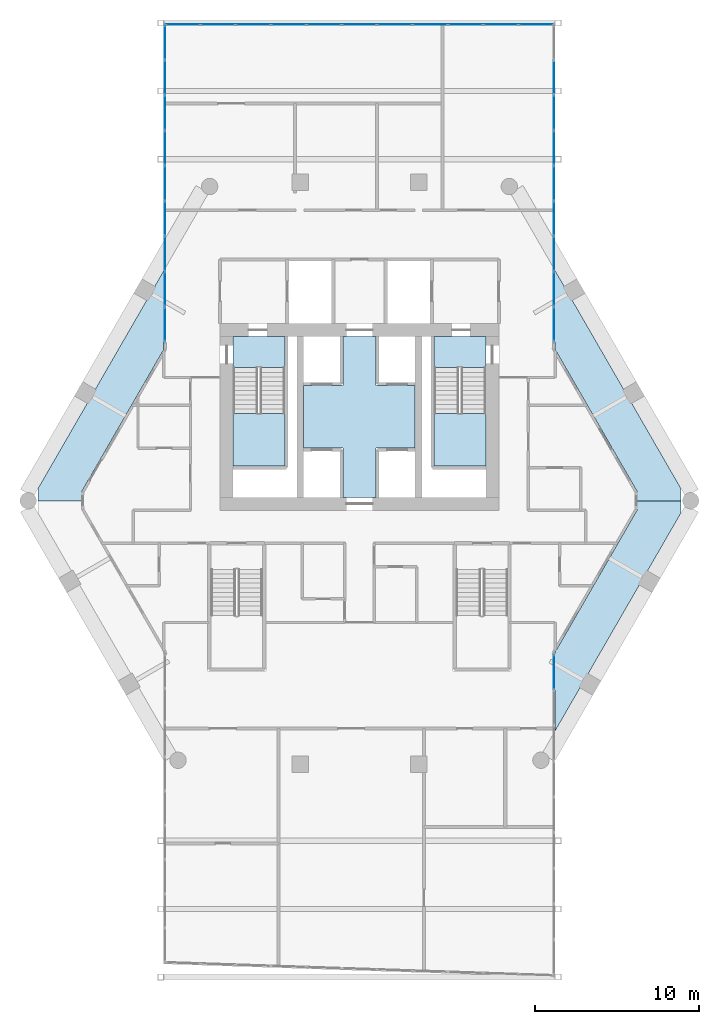
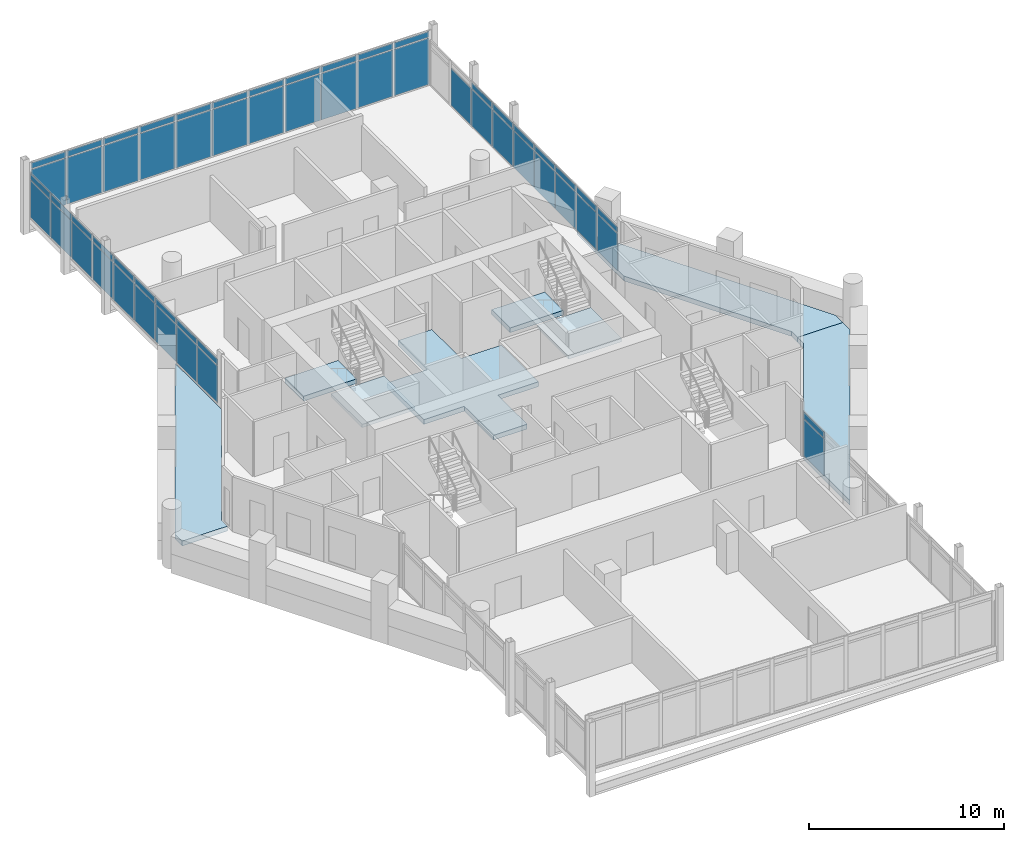
# One storey, part 23 of 29: 57 plates, 8 slabs, 6 elements without a shape of their own.
"""IFC4 building model written with IfcOpenShell, lengths in metres."""

from ifc_helpers import new_model, si_unit, direction, frame, origin, origin_2d, place, context, subcontext, project, spatial, polyline, rectangle, outline, extrude, material, layer, layer_set, type_object, element, aggregate, save


model = new_model("IFC4")

# Units and contexts
model_context = context("Model", 3, precision=1e-05, world=origin(), true_north=direction((0.0, 1.0)))
body_context = subcontext(model_context, "Body", "Model", "MODEL_VIEW")
ifc_project = project(units=[si_unit("LENGTHUNIT", "METRE"), si_unit("AREAUNIT", "SQUARE_METRE"), si_unit("VOLUMEUNIT", "CUBIC_METRE"), si_unit("PLANEANGLEUNIT", "RADIAN"), si_unit("MASSUNIT", "GRAM", prefix="KILO")], contexts=[model_context])

# Site, building, storey
site_placement = place(None, origin())
site = spatial("IfcSite", under=ifc_project, at=site_placement, CompositionType="ELEMENT")
building_placement = place(site_placement, origin())
building = spatial("IfcBuilding", under=site, at=building_placement, Name="Ostrander Bayou Hotel Tower", CompositionType="ELEMENT")
storey_placement = place(building_placement, frame((0.0, 0.0, 205.75)))
storey = spatial("IfcBuildingStorey", under=building, at=storey_placement, Name="L51", CompositionType="ELEMENT", Elevation=205.75)

# Curtain wall, plates
ifc_material_1 = material(Name="Aluminium and clear glass", Category="aluminium")
curtain_wall_type = type_object("IfcCurtainWallType", Name="CW-BAR glazed wall", PredefinedType="NOTDEFINED", material=ifc_material_1)
curtain_wall_1_placement = place(storey_placement, origin())
curtain_wall_1 = element("IfcCurtainWall", 1, at=curtain_wall_1_placement, inside=storey, type_object=curtain_wall_type, Name="CW-BAR L51:SB4S:W", PredefinedType="NOTDEFINED")
ifc_material_2 = material(Name="Clear laminated glass", Category="glass")
ifc_layer_1 = layer(ifc_material_2, 0.028076171875)
ifc_layer_set_1 = layer_set([ifc_layer_1], Name="CW-BR glazing panel 28 mm")
plate_type = type_object("IfcPlateType", Name="CW-BR glazing panel 28 mm", PredefinedType="CURTAIN_PANEL", material=ifc_layer_set_1)
plate_1_placement = place(storey_placement, frame((11.857177734375, -11.565673828125, 0.06005859375), z_axis=(0.0, 0.0, 1.0), x_axis=(0.0, -1.0, 0.0)))
plate_1 = element("IfcPlate", 2, at=plate_1_placement, type_object=plate_type, Name="CW-BAR panel 1.1", PredefinedType="CURTAIN_PANEL", context=body_context, shape_type="SweptSolid", body=[
    extrude(rectangle(XDim=2.086181640625, YDim=0.028076171875, at=origin_2d()), origin(), (0.0, 0.0, 1.0), 2.31005859375),
])
plate_2_placement = place(storey_placement, frame((11.857177734375, -11.565673828125, 2.43017578125), z_axis=(0.0, 0.0, 1.0), x_axis=(0.0, -1.0, 0.0)))
plate_2 = element("IfcPlate", 3, at=plate_2_placement, type_object=plate_type, Name="CW-BAR panel 1.2", PredefinedType="CURTAIN_PANEL", context=body_context, shape_type="SweptSolid", body=[
    extrude(rectangle(XDim=2.086181640625, YDim=0.028076171875, at=origin_2d()), origin(), (0.0, 0.0, 1.0), 0.360107421875),
])
aggregate(curtain_wall_1, [plate_1, plate_2])

curtain_wall_2_placement = place(storey_placement, origin())
curtain_wall_2 = element("IfcCurtainWall", 4, at=curtain_wall_2_placement, inside=storey, type_object=curtain_wall_type, Name="CW-BAR L51:SB4N:E", PredefinedType="NOTDEFINED")
plate_3_placement = place(storey_placement, frame((-11.857177734375, 9.654541015625, 0.06005859375), z_axis=(0.0, 0.0, 1.0), x_axis=(0.0, 1.0, 0.0)))
plate_3 = element("IfcPlate", 5, at=plate_3_placement, type_object=plate_type, Name="CW-BAR panel 1.1", PredefinedType="CURTAIN_PANEL", context=body_context, shape_type="SweptSolid", body=[
    extrude(rectangle(XDim=2.060302734375, YDim=0.028076171875, at=origin_2d()), origin(), (0.0, 0.0, 1.0), 2.31005859375),
])
plate_4_placement = place(storey_placement, frame((-11.857177734375, 9.654541015625, 2.43017578125), z_axis=(0.0, 0.0, 1.0), x_axis=(0.0, 1.0, 0.0)))
plate_4 = element("IfcPlate", 6, at=plate_4_placement, type_object=plate_type, Name="CW-BAR panel 1.2", PredefinedType="CURTAIN_PANEL", context=body_context, shape_type="SweptSolid", body=[
    extrude(rectangle(XDim=2.060302734375, YDim=0.028076171875, at=origin_2d()), origin(), (0.0, 0.0, 1.0), 0.360107421875),
])
plate_5_placement = place(storey_placement, frame((-11.857177734375, 11.789794921875, 0.06005859375), z_axis=(0.0, 0.0, 1.0), x_axis=(0.0, 1.0, 0.0)))
plate_5 = element("IfcPlate", 7, at=plate_5_placement, type_object=plate_type, Name="CW-BAR panel 2.1", PredefinedType="CURTAIN_PANEL", context=body_context, shape_type="SweptSolid", body=[
    extrude(rectangle(XDim=2.090087890625, YDim=0.028076171875, at=origin_2d()), origin(), (0.0, 0.0, 1.0), 2.31005859375),
])
plate_6_placement = place(storey_placement, frame((-11.857177734375, 11.789794921875, 2.43017578125), z_axis=(0.0, 0.0, 1.0), x_axis=(0.0, 1.0, 0.0)))
plate_6 = element("IfcPlate", 8, at=plate_6_placement, type_object=plate_type, Name="CW-BAR panel 2.2", PredefinedType="CURTAIN_PANEL", context=body_context, shape_type="SweptSolid", body=[
    extrude(rectangle(XDim=2.090087890625, YDim=0.028076171875, at=origin_2d()), origin(), (0.0, 0.0, 1.0), 0.360107421875),
])
plate_7_placement = place(storey_placement, frame((-11.857177734375, 13.93994140625, 0.06005859375), z_axis=(0.0, 0.0, 1.0), x_axis=(0.0, 1.0, 0.0)))
plate_7 = element("IfcPlate", 9, at=plate_7_placement, type_object=plate_type, Name="CW-BAR panel 3.1", PredefinedType="CURTAIN_PANEL", context=body_context, shape_type="SweptSolid", body=[
    extrude(rectangle(XDim=2.090087890625, YDim=0.028076171875, at=origin_2d()), origin(), (0.0, 0.0, 1.0), 2.31005859375),
])
plate_8_placement = place(storey_placement, frame((-11.857177734375, 13.93994140625, 2.43017578125), z_axis=(0.0, 0.0, 1.0), x_axis=(0.0, 1.0, 0.0)))
plate_8 = element("IfcPlate", 10, at=plate_8_placement, type_object=plate_type, Name="CW-BAR panel 3.2", PredefinedType="CURTAIN_PANEL", context=body_context, shape_type="SweptSolid", body=[
    extrude(rectangle(XDim=2.090087890625, YDim=0.028076171875, at=origin_2d()), origin(), (0.0, 0.0, 1.0), 0.360107421875),
])
plate_9_placement = place(storey_placement, frame((-11.857177734375, 16.090087890625, 0.06005859375), z_axis=(0.0, 0.0, 1.0), x_axis=(0.0, 1.0, 0.0)))
plate_9 = element("IfcPlate", 11, at=plate_9_placement, type_object=plate_type, Name="CW-BAR panel 4.1", PredefinedType="CURTAIN_PANEL", context=body_context, shape_type="SweptSolid", body=[
    extrude(rectangle(XDim=2.090087890625, YDim=0.028076171875, at=origin_2d()), origin(), (0.0, 0.0, 1.0), 2.31005859375),
])
plate_10_placement = place(storey_placement, frame((-11.857177734375, 16.090087890625, 2.43017578125), z_axis=(0.0, 0.0, 1.0), x_axis=(0.0, 1.0, 0.0)))
plate_10 = element("IfcPlate", 12, at=plate_10_placement, type_object=plate_type, Name="CW-BAR panel 4.2", PredefinedType="CURTAIN_PANEL", context=body_context, shape_type="SweptSolid", body=[
    extrude(rectangle(XDim=2.090087890625, YDim=0.028076171875, at=origin_2d()), origin(), (0.0, 0.0, 1.0), 0.360107421875),
])
plate_11_placement = place(storey_placement, frame((-11.857177734375, 18.240234375, 0.06005859375), z_axis=(0.0, 0.0, 1.0), x_axis=(0.0, 1.0, 0.0)))
plate_11 = element("IfcPlate", 13, at=plate_11_placement, type_object=plate_type, Name="CW-BAR panel 5.1", PredefinedType="CURTAIN_PANEL", context=body_context, shape_type="SweptSolid", body=[
    extrude(rectangle(XDim=2.090087890625, YDim=0.028076171875, at=origin_2d()), origin(), (0.0, 0.0, 1.0), 2.31005859375),
])
plate_12_placement = place(storey_placement, frame((-11.857177734375, 18.240234375, 2.43017578125), z_axis=(0.0, 0.0, 1.0), x_axis=(0.0, 1.0, 0.0)))
plate_12 = element("IfcPlate", 14, at=plate_12_placement, type_object=plate_type, Name="CW-BAR panel 5.2", PredefinedType="CURTAIN_PANEL", context=body_context, shape_type="SweptSolid", body=[
    extrude(rectangle(XDim=2.090087890625, YDim=0.028076171875, at=origin_2d()), origin(), (0.0, 0.0, 1.0), 0.360107421875),
])
plate_13_placement = place(storey_placement, frame((-11.857177734375, 20.390380859375, 0.06005859375), z_axis=(0.0, 0.0, 1.0), x_axis=(0.0, 1.0, 0.0)))
plate_13 = element("IfcPlate", 15, at=plate_13_placement, type_object=plate_type, Name="CW-BAR panel 6.1", PredefinedType="CURTAIN_PANEL", context=body_context, shape_type="SweptSolid", body=[
    extrude(rectangle(XDim=2.090087890625, YDim=0.028076171875, at=origin_2d()), origin(), (0.0, 0.0, 1.0), 2.31005859375),
])
plate_14_placement = place(storey_placement, frame((-11.857177734375, 20.390380859375, 2.43017578125), z_axis=(0.0, 0.0, 1.0), x_axis=(0.0, 1.0, 0.0)))
plate_14 = element("IfcPlate", 16, at=plate_14_placement, type_object=plate_type, Name="CW-BAR panel 6.2", PredefinedType="CURTAIN_PANEL", context=body_context, shape_type="SweptSolid", body=[
    extrude(rectangle(XDim=2.090087890625, YDim=0.028076171875, at=origin_2d()), origin(), (0.0, 0.0, 1.0), 0.360107421875),
])
plate_15_placement = place(storey_placement, frame((-11.857177734375, 22.54052734375, 0.06005859375), z_axis=(0.0, 0.0, 1.0), x_axis=(0.0, 1.0, 0.0)))
plate_15 = element("IfcPlate", 17, at=plate_15_placement, type_object=plate_type, Name="CW-BAR panel 7.1", PredefinedType="CURTAIN_PANEL", context=body_context, shape_type="SweptSolid", body=[
    extrude(rectangle(XDim=2.090087890625, YDim=0.028076171875, at=origin_2d()), origin(), (0.0, 0.0, 1.0), 2.31005859375),
])
plate_16_placement = place(storey_placement, frame((-11.857177734375, 22.54052734375, 2.43017578125), z_axis=(0.0, 0.0, 1.0), x_axis=(0.0, 1.0, 0.0)))
plate_16 = element("IfcPlate", 18, at=plate_16_placement, type_object=plate_type, Name="CW-BAR panel 7.2", PredefinedType="CURTAIN_PANEL", context=body_context, shape_type="SweptSolid", body=[
    extrude(rectangle(XDim=2.090087890625, YDim=0.028076171875, at=origin_2d()), origin(), (0.0, 0.0, 1.0), 0.360107421875),
])
plate_17_placement = place(storey_placement, frame((-11.857177734375, 24.69091796875, 0.06005859375), z_axis=(0.0, 0.0, 1.0), x_axis=(0.0, 1.0, 0.0)))
plate_17 = element("IfcPlate", 19, at=plate_17_placement, type_object=plate_type, Name="CW-BAR panel 8.1", PredefinedType="CURTAIN_PANEL", context=body_context, shape_type="SweptSolid", body=[
    extrude(rectangle(XDim=2.090087890625, YDim=0.028076171875, at=origin_2d()), origin(), (0.0, 0.0, 1.0), 2.31005859375),
])
plate_18_placement = place(storey_placement, frame((-11.857177734375, 24.69091796875, 2.43017578125), z_axis=(0.0, 0.0, 1.0), x_axis=(0.0, 1.0, 0.0)))
plate_18 = element("IfcPlate", 20, at=plate_18_placement, type_object=plate_type, Name="CW-BAR panel 8.2", PredefinedType="CURTAIN_PANEL", context=body_context, shape_type="SweptSolid", body=[
    extrude(rectangle(XDim=2.090087890625, YDim=0.028076171875, at=origin_2d()), origin(), (0.0, 0.0, 1.0), 0.360107421875),
])
plate_19_placement = place(storey_placement, frame((-11.857177734375, 26.825927734375, 0.06005859375), z_axis=(0.0, 0.0, 1.0), x_axis=(0.0, 1.0, 0.0)))
plate_19 = element("IfcPlate", 21, at=plate_19_placement, type_object=plate_type, Name="CW-BAR panel 9.1", PredefinedType="CURTAIN_PANEL", context=body_context, shape_type="SweptSolid", body=[
    extrude(rectangle(XDim=2.060302734375, YDim=0.028076171875, at=origin_2d()), origin(), (0.0, 0.0, 1.0), 2.31005859375),
])
plate_20_placement = place(storey_placement, frame((-11.857177734375, 26.825927734375, 2.43017578125), z_axis=(0.0, 0.0, 1.0), x_axis=(0.0, 1.0, 0.0)))
plate_20 = element("IfcPlate", 22, at=plate_20_placement, type_object=plate_type, Name="CW-BAR panel 9.2", PredefinedType="CURTAIN_PANEL", context=body_context, shape_type="SweptSolid", body=[
    extrude(rectangle(XDim=2.060302734375, YDim=0.028076171875, at=origin_2d()), origin(), (0.0, 0.0, 1.0), 0.360107421875),
])
aggregate(curtain_wall_2, [plate_3, plate_4, plate_5, plate_6, plate_7, plate_8, plate_9, plate_10, plate_11, plate_12, plate_13, plate_14, plate_15, plate_16, plate_17, plate_18, plate_19, plate_20])

curtain_wall_3_placement = place(storey_placement, origin())
curtain_wall_3 = element("IfcCurtainWall", 23, at=curtain_wall_3_placement, inside=storey, type_object=curtain_wall_type, Name="CW-BAR L51:SB4N:T", PredefinedType="NOTDEFINED")
plate_21_placement = place(storey_placement, frame((-10.76416015625, 27.916015625, 0.06005859375), z_axis=(0.0, 0.0, 1.0), x_axis=(1.0, 0.0, 0.0)))
plate_21 = element("IfcPlate", 24, at=plate_21_placement, type_object=plate_type, Name="CW-BAR panel 1.1", PredefinedType="CURTAIN_PANEL", context=body_context, shape_type="SweptSolid", body=[
    extrude(rectangle(XDim=2.06591796875, YDim=0.028076171875, at=origin_2d()), origin(), (0.0, 0.0, 1.0), 2.909912109375),
])
plate_22_placement = place(storey_placement, frame((-10.76416015625, 27.916015625, 3.02978515625), z_axis=(0.0, 0.0, 1.0), x_axis=(1.0, 0.0, 0.0)))
plate_22 = element("IfcPlate", 25, at=plate_22_placement, type_object=plate_type, Name="CW-BAR panel 1.2", PredefinedType="CURTAIN_PANEL", context=body_context, shape_type="SweptSolid", body=[
    extrude(rectangle(XDim=2.06591796875, YDim=0.028076171875, at=origin_2d()), origin(), (0.0, 0.0, 1.0), 0.360107421875),
])
plate_23_placement = place(storey_placement, frame((-8.62353515625, 27.916015625, 0.06005859375), z_axis=(0.0, 0.0, 1.0), x_axis=(1.0, 0.0, 0.0)))
plate_23 = element("IfcPlate", 26, at=plate_23_placement, type_object=plate_type, Name="CW-BAR panel 2.1", PredefinedType="CURTAIN_PANEL", context=body_context, shape_type="SweptSolid", body=[
    extrude(rectangle(XDim=2.095947265625, YDim=0.028076171875, at=origin_2d()), origin(), (0.0, 0.0, 1.0), 2.909912109375),
])
plate_24_placement = place(storey_placement, frame((-8.62353515625, 27.916015625, 3.02978515625), z_axis=(0.0, 0.0, 1.0), x_axis=(1.0, 0.0, 0.0)))
plate_24 = element("IfcPlate", 27, at=plate_24_placement, type_object=plate_type, Name="CW-BAR panel 2.2", PredefinedType="CURTAIN_PANEL", context=body_context, shape_type="SweptSolid", body=[
    extrude(rectangle(XDim=2.095947265625, YDim=0.028076171875, at=origin_2d()), origin(), (0.0, 0.0, 1.0), 0.360107421875),
])
plate_25_placement = place(storey_placement, frame((-6.467529296875, 27.916015625, 0.06005859375), z_axis=(0.0, 0.0, 1.0), x_axis=(1.0, 0.0, 0.0)))
plate_25 = element("IfcPlate", 28, at=plate_25_placement, type_object=plate_type, Name="CW-BAR panel 3.1", PredefinedType="CURTAIN_PANEL", context=body_context, shape_type="SweptSolid", body=[
    extrude(rectangle(XDim=2.095947265625, YDim=0.028076171875, at=origin_2d()), origin(), (0.0, 0.0, 1.0), 2.909912109375),
])
plate_26_placement = place(storey_placement, frame((-6.467529296875, 27.916015625, 3.02978515625), z_axis=(0.0, 0.0, 1.0), x_axis=(1.0, 0.0, 0.0)))
plate_26 = element("IfcPlate", 29, at=plate_26_placement, type_object=plate_type, Name="CW-BAR panel 3.2", PredefinedType="CURTAIN_PANEL", context=body_context, shape_type="SweptSolid", body=[
    extrude(rectangle(XDim=2.095947265625, YDim=0.028076171875, at=origin_2d()), origin(), (0.0, 0.0, 1.0), 0.360107421875),
])
plate_27_placement = place(storey_placement, frame((-4.311767578125, 27.916015625, 0.06005859375), z_axis=(0.0, 0.0, 1.0), x_axis=(1.0, 0.0, 0.0)))
plate_27 = element("IfcPlate", 30, at=plate_27_placement, type_object=plate_type, Name="CW-BAR panel 4.1", PredefinedType="CURTAIN_PANEL", context=body_context, shape_type="SweptSolid", body=[
    extrude(rectangle(XDim=2.095947265625, YDim=0.028076171875, at=origin_2d()), origin(), (0.0, 0.0, 1.0), 2.909912109375),
])
plate_28_placement = place(storey_placement, frame((-4.311767578125, 27.916015625, 3.02978515625), z_axis=(0.0, 0.0, 1.0), x_axis=(1.0, 0.0, 0.0)))
plate_28 = element("IfcPlate", 31, at=plate_28_placement, type_object=plate_type, Name="CW-BAR panel 4.2", PredefinedType="CURTAIN_PANEL", context=body_context, shape_type="SweptSolid", body=[
    extrude(rectangle(XDim=2.095947265625, YDim=0.028076171875, at=origin_2d()), origin(), (0.0, 0.0, 1.0), 0.360107421875),
])
plate_29_placement = place(storey_placement, frame((-2.15576171875, 27.916015625, 0.06005859375), z_axis=(0.0, 0.0, 1.0), x_axis=(1.0, 0.0, 0.0)))
plate_29 = element("IfcPlate", 32, at=plate_29_placement, type_object=plate_type, Name="CW-BAR panel 5.1", PredefinedType="CURTAIN_PANEL", context=body_context, shape_type="SweptSolid", body=[
    extrude(rectangle(XDim=2.095947265625, YDim=0.028076171875, at=origin_2d()), origin(), (0.0, 0.0, 1.0), 2.909912109375),
])
plate_30_placement = place(storey_placement, frame((-2.15576171875, 27.916015625, 3.02978515625), z_axis=(0.0, 0.0, 1.0), x_axis=(1.0, 0.0, 0.0)))
plate_30 = element("IfcPlate", 33, at=plate_30_placement, type_object=plate_type, Name="CW-BAR panel 5.2", PredefinedType="CURTAIN_PANEL", context=body_context, shape_type="SweptSolid", body=[
    extrude(rectangle(XDim=2.095947265625, YDim=0.028076171875, at=origin_2d()), origin(), (0.0, 0.0, 1.0), 0.360107421875),
])
plate_31_placement = place(storey_placement, frame((0.0, 27.916015625, 0.06005859375), z_axis=(0.0, 0.0, 1.0), x_axis=(1.0, 0.0, 0.0)))
plate_31 = element("IfcPlate", 34, at=plate_31_placement, type_object=plate_type, Name="CW-BAR panel 6.1", PredefinedType="CURTAIN_PANEL", context=body_context, shape_type="SweptSolid", body=[
    extrude(rectangle(XDim=2.095947265625, YDim=0.028076171875, at=origin_2d()), origin(), (0.0, 0.0, 1.0), 2.909912109375),
])
plate_32_placement = place(storey_placement, frame((0.0, 27.916015625, 3.02978515625), z_axis=(0.0, 0.0, 1.0), x_axis=(1.0, 0.0, 0.0)))
plate_32 = element("IfcPlate", 35, at=plate_32_placement, type_object=plate_type, Name="CW-BAR panel 6.2", PredefinedType="CURTAIN_PANEL", context=body_context, shape_type="SweptSolid", body=[
    extrude(rectangle(XDim=2.095947265625, YDim=0.028076171875, at=origin_2d()), origin(), (0.0, 0.0, 1.0), 0.360107421875),
])
plate_33_placement = place(storey_placement, frame((2.15576171875, 27.916015625, 0.06005859375), z_axis=(0.0, 0.0, 1.0), x_axis=(1.0, 0.0, 0.0)))
plate_33 = element("IfcPlate", 36, at=plate_33_placement, type_object=plate_type, Name="CW-BAR panel 7.1", PredefinedType="CURTAIN_PANEL", context=body_context, shape_type="SweptSolid", body=[
    extrude(rectangle(XDim=2.095947265625, YDim=0.028076171875, at=origin_2d()), origin(), (0.0, 0.0, 1.0), 2.909912109375),
])
plate_34_placement = place(storey_placement, frame((2.15576171875, 27.916015625, 3.02978515625), z_axis=(0.0, 0.0, 1.0), x_axis=(1.0, 0.0, 0.0)))
plate_34 = element("IfcPlate", 37, at=plate_34_placement, type_object=plate_type, Name="CW-BAR panel 7.2", PredefinedType="CURTAIN_PANEL", context=body_context, shape_type="SweptSolid", body=[
    extrude(rectangle(XDim=2.095947265625, YDim=0.028076171875, at=origin_2d()), origin(), (0.0, 0.0, 1.0), 0.360107421875),
])
plate_35_placement = place(storey_placement, frame((4.311767578125, 27.916015625, 0.06005859375), z_axis=(0.0, 0.0, 1.0), x_axis=(1.0, 0.0, 0.0)))
plate_35 = element("IfcPlate", 38, at=plate_35_placement, type_object=plate_type, Name="CW-BAR panel 8.1", PredefinedType="CURTAIN_PANEL", context=body_context, shape_type="SweptSolid", body=[
    extrude(rectangle(XDim=2.095947265625, YDim=0.028076171875, at=origin_2d()), origin(), (0.0, 0.0, 1.0), 2.909912109375),
])
plate_36_placement = place(storey_placement, frame((4.311767578125, 27.916015625, 3.02978515625), z_axis=(0.0, 0.0, 1.0), x_axis=(1.0, 0.0, 0.0)))
plate_36 = element("IfcPlate", 39, at=plate_36_placement, type_object=plate_type, Name="CW-BAR panel 8.2", PredefinedType="CURTAIN_PANEL", context=body_context, shape_type="SweptSolid", body=[
    extrude(rectangle(XDim=2.095947265625, YDim=0.028076171875, at=origin_2d()), origin(), (0.0, 0.0, 1.0), 0.360107421875),
])
plate_37_placement = place(storey_placement, frame((6.467529296875, 27.916015625, 0.06005859375), z_axis=(0.0, 0.0, 1.0), x_axis=(1.0, 0.0, 0.0)))
plate_37 = element("IfcPlate", 40, at=plate_37_placement, type_object=plate_type, Name="CW-BAR panel 9.1", PredefinedType="CURTAIN_PANEL", context=body_context, shape_type="SweptSolid", body=[
    extrude(rectangle(XDim=2.095947265625, YDim=0.028076171875, at=origin_2d()), origin(), (0.0, 0.0, 1.0), 2.909912109375),
])
plate_38_placement = place(storey_placement, frame((6.467529296875, 27.916015625, 3.02978515625), z_axis=(0.0, 0.0, 1.0), x_axis=(1.0, 0.0, 0.0)))
plate_38 = element("IfcPlate", 41, at=plate_38_placement, type_object=plate_type, Name="CW-BAR panel 9.2", PredefinedType="CURTAIN_PANEL", context=body_context, shape_type="SweptSolid", body=[
    extrude(rectangle(XDim=2.095947265625, YDim=0.028076171875, at=origin_2d()), origin(), (0.0, 0.0, 1.0), 0.360107421875),
])
plate_39_placement = place(storey_placement, frame((8.62353515625, 27.916015625, 0.06005859375), z_axis=(0.0, 0.0, 1.0), x_axis=(1.0, 0.0, 0.0)))
plate_39 = element("IfcPlate", 42, at=plate_39_placement, type_object=plate_type, Name="CW-BAR panel 10.1", PredefinedType="CURTAIN_PANEL", context=body_context, shape_type="SweptSolid", body=[
    extrude(rectangle(XDim=2.095947265625, YDim=0.028076171875, at=origin_2d()), origin(), (0.0, 0.0, 1.0), 2.909912109375),
])
plate_40_placement = place(storey_placement, frame((8.62353515625, 27.916015625, 3.02978515625), z_axis=(0.0, 0.0, 1.0), x_axis=(1.0, 0.0, 0.0)))
plate_40 = element("IfcPlate", 43, at=plate_40_placement, type_object=plate_type, Name="CW-BAR panel 10.2", PredefinedType="CURTAIN_PANEL", context=body_context, shape_type="SweptSolid", body=[
    extrude(rectangle(XDim=2.095947265625, YDim=0.028076171875, at=origin_2d()), origin(), (0.0, 0.0, 1.0), 0.360107421875),
])
plate_41_placement = place(storey_placement, frame((10.76416015625, 27.916015625, 0.06005859375), z_axis=(0.0, 0.0, 1.0), x_axis=(1.0, 0.0, 0.0)))
plate_41 = element("IfcPlate", 44, at=plate_41_placement, type_object=plate_type, Name="CW-BAR panel 11.1", PredefinedType="CURTAIN_PANEL", context=body_context, shape_type="SweptSolid", body=[
    extrude(rectangle(XDim=2.06591796875, YDim=0.028076171875, at=origin_2d()), origin(), (0.0, 0.0, 1.0), 2.909912109375),
])
plate_42_placement = place(storey_placement, frame((10.76416015625, 27.916015625, 3.02978515625), z_axis=(0.0, 0.0, 1.0), x_axis=(1.0, 0.0, 0.0)))
plate_42 = element("IfcPlate", 45, at=plate_42_placement, type_object=plate_type, Name="CW-BAR panel 11.2", PredefinedType="CURTAIN_PANEL", context=body_context, shape_type="SweptSolid", body=[
    extrude(rectangle(XDim=2.06591796875, YDim=0.028076171875, at=origin_2d()), origin(), (0.0, 0.0, 1.0), 0.360107421875),
])
aggregate(curtain_wall_3, [plate_21, plate_22, plate_23, plate_24, plate_25, plate_26, plate_27, plate_28, plate_29, plate_30, plate_31, plate_32, plate_33, plate_34, plate_35, plate_36, plate_37, plate_38, plate_39, plate_40, plate_41, plate_42])

curtain_wall_4_placement = place(storey_placement, origin())
curtain_wall_4 = element("IfcCurtainWall", 46, at=curtain_wall_4_placement, inside=storey, type_object=curtain_wall_type, Name="CW-BAR L51:SB4N:W", PredefinedType="NOTDEFINED")
plate_43_placement = place(storey_placement, frame((11.857177734375, 9.654541015625, 0.06005859375), z_axis=(0.0, 0.0, 1.0), x_axis=(0.0, 1.0, 0.0)))
plate_43 = element("IfcPlate", 47, at=plate_43_placement, type_object=plate_type, Name="CW-BAR panel 1.1", PredefinedType="CURTAIN_PANEL", context=body_context, shape_type="SweptSolid", body=[
    extrude(rectangle(XDim=2.060302734375, YDim=0.028076171875, at=origin_2d()), origin(), (0.0, 0.0, 1.0), 2.31005859375),
])
plate_44_placement = place(storey_placement, frame((11.857177734375, 9.654541015625, 2.43017578125), z_axis=(0.0, 0.0, 1.0), x_axis=(0.0, 1.0, 0.0)))
plate_44 = element("IfcPlate", 48, at=plate_44_placement, type_object=plate_type, Name="CW-BAR panel 1.2", PredefinedType="CURTAIN_PANEL", context=body_context, shape_type="SweptSolid", body=[
    extrude(rectangle(XDim=2.060302734375, YDim=0.028076171875, at=origin_2d()), origin(), (0.0, 0.0, 1.0), 0.360107421875),
])
plate_45_placement = place(storey_placement, frame((11.857177734375, 11.789794921875, 0.06005859375), z_axis=(0.0, 0.0, 1.0), x_axis=(0.0, 1.0, 0.0)))
plate_45 = element("IfcPlate", 49, at=plate_45_placement, type_object=plate_type, Name="CW-BAR panel 2.1", PredefinedType="CURTAIN_PANEL", context=body_context, shape_type="SweptSolid", body=[
    extrude(rectangle(XDim=2.090087890625, YDim=0.028076171875, at=origin_2d()), origin(), (0.0, 0.0, 1.0), 2.31005859375),
])
plate_46_placement = place(storey_placement, frame((11.857177734375, 11.789794921875, 2.43017578125), z_axis=(0.0, 0.0, 1.0), x_axis=(0.0, 1.0, 0.0)))
plate_46 = element("IfcPlate", 50, at=plate_46_placement, type_object=plate_type, Name="CW-BAR panel 2.2", PredefinedType="CURTAIN_PANEL", context=body_context, shape_type="SweptSolid", body=[
    extrude(rectangle(XDim=2.090087890625, YDim=0.028076171875, at=origin_2d()), origin(), (0.0, 0.0, 1.0), 0.360107421875),
])
plate_47_placement = place(storey_placement, frame((11.857177734375, 13.93994140625, 0.06005859375), z_axis=(0.0, 0.0, 1.0), x_axis=(0.0, 1.0, 0.0)))
plate_47 = element("IfcPlate", 51, at=plate_47_placement, type_object=plate_type, Name="CW-BAR panel 3.1", PredefinedType="CURTAIN_PANEL", context=body_context, shape_type="SweptSolid", body=[
    extrude(rectangle(XDim=2.090087890625, YDim=0.028076171875, at=origin_2d()), origin(), (0.0, 0.0, 1.0), 2.31005859375),
])
plate_48_placement = place(storey_placement, frame((11.857177734375, 13.93994140625, 2.43017578125), z_axis=(0.0, 0.0, 1.0), x_axis=(0.0, 1.0, 0.0)))
plate_48 = element("IfcPlate", 52, at=plate_48_placement, type_object=plate_type, Name="CW-BAR panel 3.2", PredefinedType="CURTAIN_PANEL", context=body_context, shape_type="SweptSolid", body=[
    extrude(rectangle(XDim=2.090087890625, YDim=0.028076171875, at=origin_2d()), origin(), (0.0, 0.0, 1.0), 0.360107421875),
])
plate_49_placement = place(storey_placement, frame((11.857177734375, 16.090087890625, 0.06005859375), z_axis=(0.0, 0.0, 1.0), x_axis=(0.0, 1.0, 0.0)))
plate_49 = element("IfcPlate", 53, at=plate_49_placement, type_object=plate_type, Name="CW-BAR panel 4.1", PredefinedType="CURTAIN_PANEL", context=body_context, shape_type="SweptSolid", body=[
    extrude(rectangle(XDim=2.090087890625, YDim=0.028076171875, at=origin_2d()), origin(), (0.0, 0.0, 1.0), 2.31005859375),
])
plate_50_placement = place(storey_placement, frame((11.857177734375, 16.090087890625, 2.43017578125), z_axis=(0.0, 0.0, 1.0), x_axis=(0.0, 1.0, 0.0)))
plate_50 = element("IfcPlate", 54, at=plate_50_placement, type_object=plate_type, Name="CW-BAR panel 4.2", PredefinedType="CURTAIN_PANEL", context=body_context, shape_type="SweptSolid", body=[
    extrude(rectangle(XDim=2.090087890625, YDim=0.028076171875, at=origin_2d()), origin(), (0.0, 0.0, 1.0), 0.360107421875),
])
plate_51_placement = place(storey_placement, frame((11.857177734375, 18.240234375, 0.06005859375), z_axis=(0.0, 0.0, 1.0), x_axis=(0.0, 1.0, 0.0)))
plate_51 = element("IfcPlate", 55, at=plate_51_placement, type_object=plate_type, Name="CW-BAR panel 5.1", PredefinedType="CURTAIN_PANEL", context=body_context, shape_type="SweptSolid", body=[
    extrude(rectangle(XDim=2.090087890625, YDim=0.028076171875, at=origin_2d()), origin(), (0.0, 0.0, 1.0), 2.31005859375),
])
plate_52_placement = place(storey_placement, frame((11.857177734375, 18.240234375, 2.43017578125), z_axis=(0.0, 0.0, 1.0), x_axis=(0.0, 1.0, 0.0)))
plate_52 = element("IfcPlate", 56, at=plate_52_placement, type_object=plate_type, Name="CW-BAR panel 5.2", PredefinedType="CURTAIN_PANEL", context=body_context, shape_type="SweptSolid", body=[
    extrude(rectangle(XDim=2.090087890625, YDim=0.028076171875, at=origin_2d()), origin(), (0.0, 0.0, 1.0), 0.360107421875),
])
plate_53_placement = place(storey_placement, frame((11.857177734375, 20.390380859375, 0.06005859375), z_axis=(0.0, 0.0, 1.0), x_axis=(0.0, 1.0, 0.0)))
plate_53 = element("IfcPlate", 57, at=plate_53_placement, type_object=plate_type, Name="CW-BAR panel 6.1", PredefinedType="CURTAIN_PANEL", context=body_context, shape_type="SweptSolid", body=[
    extrude(rectangle(XDim=2.090087890625, YDim=0.028076171875, at=origin_2d()), origin(), (0.0, 0.0, 1.0), 2.31005859375),
])
plate_54_placement = place(storey_placement, frame((11.857177734375, 20.390380859375, 2.43017578125), z_axis=(0.0, 0.0, 1.0), x_axis=(0.0, 1.0, 0.0)))
plate_54 = element("IfcPlate", 58, at=plate_54_placement, type_object=plate_type, Name="CW-BAR panel 6.2", PredefinedType="CURTAIN_PANEL", context=body_context, shape_type="SweptSolid", body=[
    extrude(rectangle(XDim=2.090087890625, YDim=0.028076171875, at=origin_2d()), origin(), (0.0, 0.0, 1.0), 0.360107421875),
])
plate_55_placement = place(storey_placement, frame((11.857177734375, 22.54052734375, 0.06005859375), z_axis=(0.0, 0.0, 1.0), x_axis=(0.0, 1.0, 0.0)))
plate_55 = element("IfcPlate", 59, at=plate_55_placement, type_object=plate_type, Name="CW-BAR panel 7.1", PredefinedType="CURTAIN_PANEL", context=body_context, shape_type="SweptSolid", body=[
    extrude(rectangle(XDim=2.090087890625, YDim=0.028076171875, at=origin_2d()), origin(), (0.0, 0.0, 1.0), 2.31005859375),
])
plate_56_placement = place(storey_placement, frame((11.857177734375, 22.54052734375, 2.43017578125), z_axis=(0.0, 0.0, 1.0), x_axis=(0.0, 1.0, 0.0)))
plate_56 = element("IfcPlate", 60, at=plate_56_placement, type_object=plate_type, Name="CW-BAR panel 7.2", PredefinedType="CURTAIN_PANEL", context=body_context, shape_type="SweptSolid", body=[
    extrude(rectangle(XDim=2.090087890625, YDim=0.028076171875, at=origin_2d()), origin(), (0.0, 0.0, 1.0), 0.360107421875),
])
plate_57_placement = place(storey_placement, frame((11.857177734375, 24.69091796875, 0.06005859375), z_axis=(0.0, 0.0, 1.0), x_axis=(0.0, 1.0, 0.0)))
plate_57 = element("IfcPlate", 61, at=plate_57_placement, type_object=plate_type, Name="CW-BAR panel 8.1", PredefinedType="CURTAIN_PANEL", context=body_context, shape_type="SweptSolid", body=[
    extrude(rectangle(XDim=2.090087890625, YDim=0.028076171875, at=origin_2d()), origin(), (0.0, 0.0, 1.0), 2.31005859375),
])
aggregate(curtain_wall_4, [plate_43, plate_44, plate_45, plate_46, plate_47, plate_48, plate_49, plate_50, plate_51, plate_52, plate_53, plate_54, plate_55, plate_56, plate_57])

# Slabs
ifc_material_3 = material(Name="Concrete f'c 40 MPa", Category="concrete")
ifc_layer_2 = layer(ifc_material_3, 0.300048828125)
ifc_layer_set_2 = layer_set([ifc_layer_2], Name="SL1 floor slab 300 mm f'c 40 MPa")
slab_type_1 = type_object("IfcSlabType", Name="SL1 floor slab 300 mm f'c 40 MPa", PredefinedType="FLOOR", material=ifc_layer_set_2)
slab_1_placement = place(storey_placement, frame((0.0, 0.0, -0.300048828125)))
element("IfcSlab", 62, at=slab_1_placement, inside=storey, type_object=slab_type_1, Name="cslab:L51:001", PredefinedType="FLOOR", context=body_context, shape_type="SweptSolid", body=[
    extrude(outline(polyline([(-3.39990234375, 5.89990234375), (-1.0, 5.89990234375), (-1.0, 8.89990234375), (1.0, 8.89990234375), (1.0, 5.89990234375), (3.39990234375, 5.89990234375), (3.39990234375, 2.10009765625), (1.0, 2.10009765625), (1.0, -0.89990234375), (-1.0, -0.89990234375), (-1.0, 2.10009765625), (-3.39990234375, 2.10009765625), (-3.39990234375, 5.89990234375)])), origin(), (0.0, 0.0, 1.0), 0.300048828125),
])
slab_2_placement = place(storey_placement, frame((0.0, 0.0, -0.300048828125)))
element("IfcSlab", 63, at=slab_2_placement, inside=storey, type_object=slab_type_1, Name="cslab:L51:002", PredefinedType="FLOOR", context=body_context, shape_type="SweptSolid", body=[
    extrude(outline(polyline([(-4.550048828125, 7.0), (-4.550048828125, 8.89990234375), (-7.699951171875, 8.89990234375), (-7.699951171875, 7.0), (-4.550048828125, 7.0)])), origin(), (0.0, 0.0, 1.0), 0.300048828125),
])
slab_3_placement = place(storey_placement, frame((0.0, 0.0, -0.300048828125)))
element("IfcSlab", 64, at=slab_3_placement, inside=storey, type_object=slab_type_1, Name="cslab:L51:003", PredefinedType="FLOOR", context=body_context, shape_type="SweptSolid", body=[
    extrude(outline(polyline([(7.699951171875, 7.0), (7.699951171875, 8.89990234375), (4.550048828125, 8.89990234375), (4.550048828125, 7.0), (7.699951171875, 7.0)])), origin(), (0.0, 0.0, 1.0), 0.300048828125),
])
ifc_material_4 = material(Name="Concrete f'c 40 MPa", Category="concrete")
ifc_layer_3 = layer(ifc_material_4, 0.300048828125)
ifc_layer_set_3 = layer_set([ifc_layer_3], Name="SL4 loggia slab 300 mm f'c 40 MPa")
slab_type_2 = type_object("IfcSlabType", Name="SL4 loggia slab 300 mm f'c 40 MPa", PredefinedType="FLOOR", material=ifc_layer_set_3)
slab_4_placement = place(storey_placement, frame((0.0, 0.0, -0.300048828125)))
element("IfcSlab", 65, at=slab_4_placement, inside=storey, type_object=slab_type_2, Name="SL4 LOGGIA L51 NW 1", PredefinedType="FLOOR", context=body_context, shape_type="SweptSolid", body=[
    extrude(outline(polyline([(-11.93212890625, 12.9072265625), (-11.93212890625, 8.107177734375), (-16.908935546875, -0.5126953125), (-16.908935546875, -1.11279296875), (-19.593505859375, -1.11279296875), (-19.593505859375, -0.36279296875), (-16.582275390625, 4.853271484375), (-16.1123046875, 5.667236328125), (-12.964111328125, 11.119873046875), (-12.494140625, 11.93408203125), (-11.93212890625, 12.9072265625)])), origin(), (0.0, 0.0, 1.0), 0.300048828125),
])
slab_5_placement = place(storey_placement, frame((0.0, 0.0, -0.300048828125)))
element("IfcSlab", 66, at=slab_5_placement, inside=storey, type_object=slab_type_2, Name="SL4 LOGGIA L51 SE 1", PredefinedType="FLOOR", context=body_context, shape_type="SweptSolid", body=[
    extrude(outline(polyline([(13.457763671875, -12.490478515625), (11.93212890625, -15.1328125), (11.93212890625, -10.332763671875), (16.908935546875, -1.712890625), (16.908935546875, -1.11279296875), (19.593505859375, -1.11279296875), (19.593505859375, -1.86279296875), (17.5458984375, -5.40966796875), (17.075927734375, -6.2236328125), (13.927734375, -11.67626953125), (13.457763671875, -12.490478515625)])), origin(), (0.0, 0.0, 1.0), 0.300048828125),
])
slab_6_placement = place(storey_placement, frame((0.0, 0.0, -0.300048828125)))
element("IfcSlab", 67, at=slab_6_placement, inside=storey, type_object=slab_type_2, Name="SL4 LOGGIA L51 NE 1", PredefinedType="FLOOR", context=body_context, shape_type="SweptSolid", body=[
    extrude(outline(polyline([(11.93212890625, 12.9072265625), (12.494140625, 11.93408203125), (12.964111328125, 11.119873046875), (14.66796875, 8.168701171875), (16.1123046875, 5.667236328125), (16.582275390625, 4.853271484375), (19.593505859375, -0.36279296875), (19.593505859375, -1.11279296875), (16.908935546875, -1.11279296875), (16.908935546875, -0.5126953125), (11.93212890625, 8.107177734375), (11.93212890625, 12.9072265625)])), origin(), (0.0, 0.0, 1.0), 0.300048828125),
])

# Stair, slab
ifc_material_5 = material(Name="Concrete f'c 45 MPa", Category="concrete")
stair_type = type_object("IfcStairType", Name="ST1 exit stair 1500 mm f'c 45 MPa", PredefinedType="HALF_TURN_STAIR", material=ifc_material_5)
stair_1_placement = place(storey_placement, origin())
stair_1 = element("IfcStair", 68, at=stair_1_placement, inside=storey, type_object=stair_type, Name="L51 exit stair A", PredefinedType="HALF_TURN_STAIR")
ifc_material_6 = material(Name="Concrete f'c 45 MPa", Category="concrete")
ifc_layer_4 = layer(ifc_material_6, 0.199951171875)
ifc_layer_set_4 = layer_set([ifc_layer_4], Name="SL8 stair landing 200 mm f'c 45 MPa")
slab_type_3 = type_object("IfcSlabType", Name="SL8 stair landing 200 mm f'c 45 MPa", PredefinedType="LANDING", material=ifc_layer_set_4)
slab_7_placement = place(storey_placement, frame((0.0, 0.0, 1.675048828125)))
slab_7 = element("IfcSlab", 69, at=slab_7_placement, type_object=slab_type_3, Name="STA landing 1", PredefinedType="LANDING", context=body_context, shape_type="SweptSolid", body=[
    extrude(outline(polyline([(-7.699951171875, 4.199951171875), (-7.699951171875, 1.0), (-4.550048828125, 1.0), (-4.550048828125, 4.199951171875), (-7.699951171875, 4.199951171875)])), origin(), (0.0, 0.0, 1.0), 0.199951171875),
])
aggregate(stair_1, [slab_7])

stair_2_placement = place(storey_placement, origin())
stair_2 = element("IfcStair", 70, at=stair_2_placement, inside=storey, type_object=stair_type, Name="L51 exit stair B", PredefinedType="HALF_TURN_STAIR")
slab_8_placement = place(storey_placement, frame((0.0, 0.0, 1.675048828125)))
slab_8 = element("IfcSlab", 71, at=slab_8_placement, type_object=slab_type_3, Name="STB landing 1", PredefinedType="LANDING", context=body_context, shape_type="SweptSolid", body=[
    extrude(outline(polyline([(4.550048828125, 4.199951171875), (4.550048828125, 1.0), (7.699951171875, 1.0), (7.699951171875, 4.199951171875), (4.550048828125, 4.199951171875)])), origin(), (0.0, 0.0, 1.0), 0.199951171875),
])
aggregate(stair_2, [slab_8])

save(model, "model.ifc")
